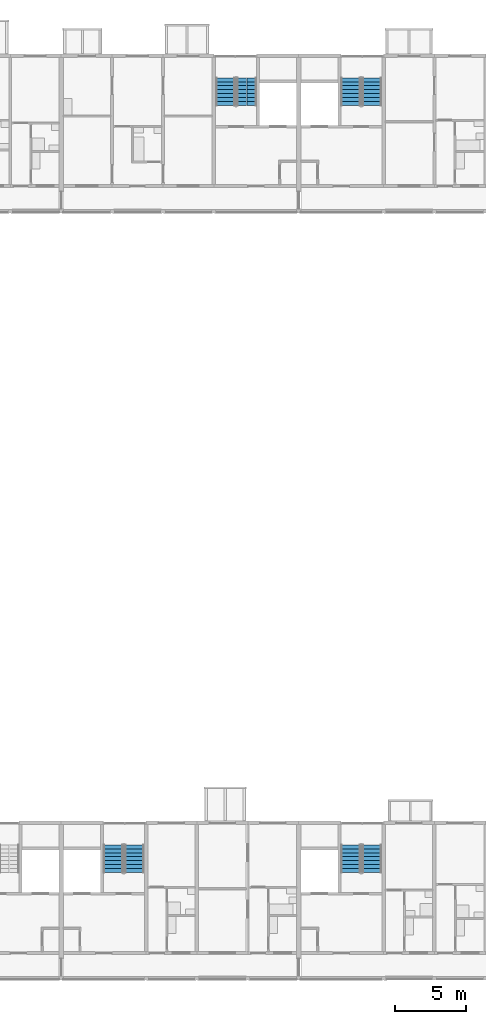
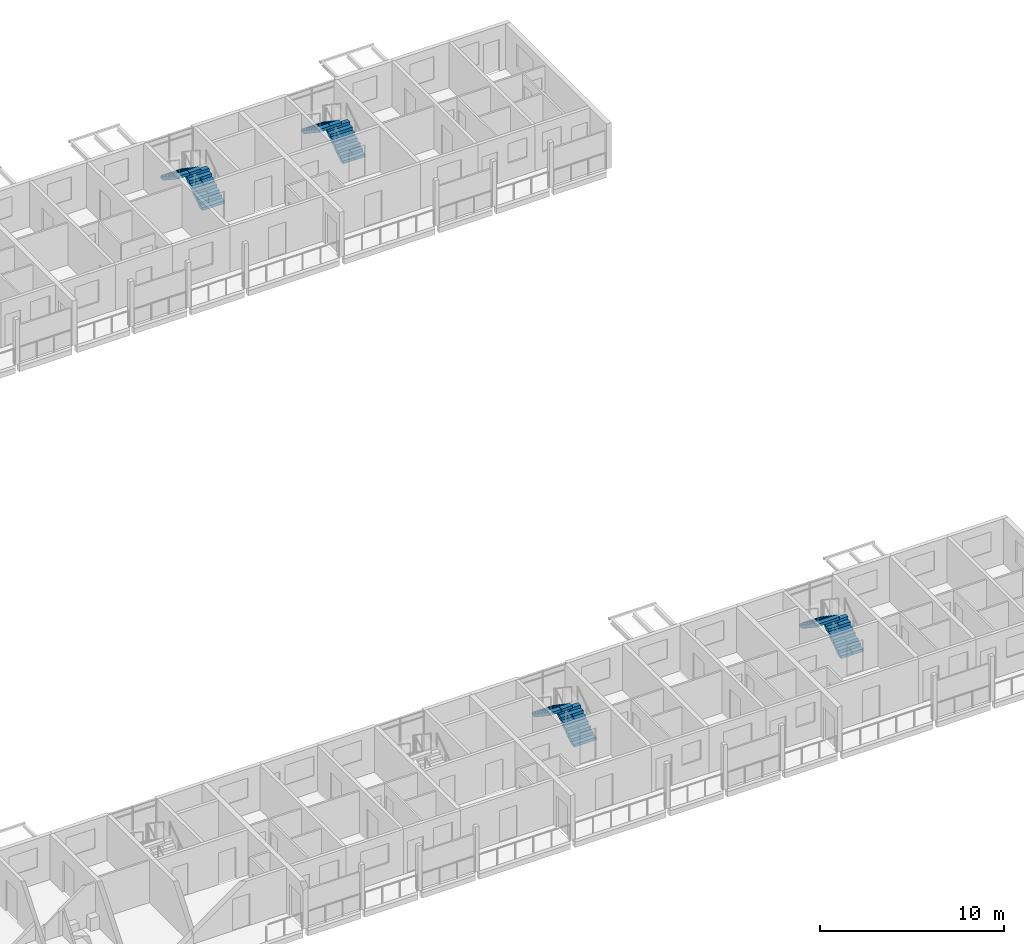
# One storey, part 62 of 99: 8 stair flights, 4 elements without a shape of their own.
"""IFC4 building model written with IfcOpenShell, lengths in metres."""

from ifc_helpers import new_model, si_unit, direction, frame, origin, place, context, subcontext, project, spatial, polyline, outline, extrude, material, type_object, element, aggregate, save


model = new_model("IFC4")

# Units and contexts
model_context = context("Model", 3, precision=1e-05, world=origin(), true_north=direction((0.0, 1.0)))
body_context = subcontext(model_context, "Body", "Model", "MODEL_VIEW")
ifc_project = project(units=[si_unit("LENGTHUNIT", "METRE"), si_unit("AREAUNIT", "SQUARE_METRE"), si_unit("VOLUMEUNIT", "CUBIC_METRE"), si_unit("PLANEANGLEUNIT", "RADIAN"), si_unit("MASSUNIT", "GRAM", prefix="KILO")], contexts=[model_context])

# Site, building, storey
site_placement = place(None, origin())
site = spatial("IfcSite", under=ifc_project, at=site_placement, CompositionType="ELEMENT")
building_placement = place(site_placement, origin())
building = spatial("IfcBuilding", under=site, at=building_placement, Name="Ridgestep Commons", CompositionType="ELEMENT")
storey_placement = place(building_placement, frame((0.0, 0.0, 15.0)))
storey = spatial("IfcBuildingStorey", under=building, at=storey_placement, Name="L05", CompositionType="ELEMENT", Elevation=15.0)

# Stair, stair flights
ifc_material_1 = material(Name="Precast concrete C40/50", Category="concrete")
stair_type = type_object("IfcStairType", Name="Escape stair 1400", PredefinedType="HALF_TURN_STAIR", material=ifc_material_1)
stair_1_placement = place(storey_placement, origin())
stair_1 = element("IfcStair", 1, at=stair_1_placement, inside=storey, type_object=stair_type, Name="L05 Escape stair C5C", PredefinedType="HALF_TURN_STAIR")
ifc_material_2 = material(Name="Precast concrete C40/50", Category="concrete")
stair_flight_type = type_object("IfcStairFlightType", Name="Stair flight 1400", PredefinedType="STRAIGHT", material=ifc_material_2)
stair_flight_1_placement = place(storey_placement, frame((227.125, 73.60009765625, 0.0), z_axis=(0.0, 0.0, 1.0), x_axis=(0.0, 1.0, 0.0)))
stair_flight_1 = element("IfcStairFlight", 2, at=stair_flight_1_placement, type_object=stair_flight_type, Name="C5C flight 1", NumberOfRisers=8, NumberOfTreads=7, PredefinedType="STRAIGHT", RiserHeight=0.1875, TreadLength=0.28, context=body_context, shape_type="SweptSolid", body=[
    extrude(outline(polyline([(0.0, 0.0), (0.0, 0.1875), (0.280029296875, 0.1875), (0.280029296875, 0.375), (0.56005859375, 0.375), (0.56005859375, 0.5625), (0.840087890625, 0.5625), (0.840087890625, 0.75), (1.1201171875, 0.75), (1.1201171875, 0.9375), (1.39990234375, 0.9375), (1.39990234375, 1.125), (1.679931640625, 1.125), (1.679931640625, 1.3125), (1.9599609375, 1.3125), (1.9599609375, 1.5), (1.9599609375, 1.132080078125), (0.26953125, 0.0), (0.0, 0.0)])), frame((0.0, 0.699951171875, 0.0), z_axis=(0.0, -1.0, 0.0), x_axis=(1.0, 0.0, 0.0)), (0.0, 0.0, 1.0), 0.695068359375),
    extrude(outline(polyline([(0.0, 0.0), (0.0, 0.1875), (0.280029296875, 0.1875), (0.280029296875, 0.375), (0.56005859375, 0.375), (0.56005859375, 0.5625), (0.840087890625, 0.5625), (0.840087890625, 0.75), (1.1201171875, 0.75), (1.1201171875, 0.9375), (1.39990234375, 0.9375), (1.39990234375, 1.125), (1.679931640625, 1.125), (1.679931640625, 1.3125), (1.9599609375, 1.3125), (1.9599609375, 1.5), (1.9599609375, 1.132080078125), (0.26953125, 0.0), (0.0, 0.0)])), frame((0.0, -0.0048828125, 0.0), z_axis=(0.0, -1.0, 0.0), x_axis=(1.0, 0.0, 0.0)), (0.0, 0.0, 1.0), 0.695068359375),
])
stair_flight_2_placement = place(storey_placement, frame((225.625, 75.56005859375, 1.5), z_axis=(0.0, 0.0, 1.0), x_axis=(0.0, -1.0, 0.0)))
stair_flight_2 = element("IfcStairFlight", 3, at=stair_flight_2_placement, type_object=stair_flight_type, Name="C5C flight 2", NumberOfRisers=8, NumberOfTreads=7, PredefinedType="STRAIGHT", RiserHeight=0.1875, TreadLength=0.28, context=body_context, shape_type="SweptSolid", body=[
    extrude(outline(polyline([(0.0, 0.0), (0.0, 0.1875), (0.280029296875, 0.1875), (0.280029296875, 0.375), (0.56005859375, 0.375), (0.56005859375, 0.5625), (0.840087890625, 0.5625), (0.840087890625, 0.75), (1.1201171875, 0.75), (1.1201171875, 0.9375), (1.39990234375, 0.9375), (1.39990234375, 1.125), (1.679931640625, 1.125), (1.679931640625, 1.3125), (1.9599609375, 1.3125), (1.9599609375, 1.5), (1.9599609375, 1.132080078125), (0.26953125, 0.0), (0.0, 0.0)])), frame((0.0, 0.699951171875, 0.0), z_axis=(0.0, -1.0, 0.0), x_axis=(1.0, 0.0, 0.0)), (0.0, 0.0, 1.0), 0.695068359375),
    extrude(outline(polyline([(0.0, 0.0), (0.0, 0.1875), (0.280029296875, 0.1875), (0.280029296875, 0.375), (0.56005859375, 0.375), (0.56005859375, 0.5625), (0.840087890625, 0.5625), (0.840087890625, 0.75), (1.1201171875, 0.75), (1.1201171875, 0.9375), (1.39990234375, 0.9375), (1.39990234375, 1.125), (1.679931640625, 1.125), (1.679931640625, 1.3125), (1.9599609375, 1.3125), (1.9599609375, 1.5), (1.9599609375, 1.132080078125), (0.26953125, 0.0), (0.0, 0.0)])), frame((0.0, -0.0048828125, 0.0), z_axis=(0.0, -1.0, 0.0), x_axis=(1.0, 0.0, 0.0)), (0.0, 0.0, 1.0), 0.695068359375),
])
aggregate(stair_1, [stair_flight_1, stair_flight_2])

stair_2_placement = place(storey_placement, origin())
stair_2 = element("IfcStair", 4, at=stair_2_placement, inside=storey, type_object=stair_type, Name="L05 Escape stair C6C", PredefinedType="HALF_TURN_STAIR")
stair_flight_3_placement = place(storey_placement, frame((235.97509765625, 73.60009765625, 0.0), z_axis=(0.0, 0.0, 1.0), x_axis=(0.0, 1.0, 0.0)))
stair_flight_3 = element("IfcStairFlight", 5, at=stair_flight_3_placement, type_object=stair_flight_type, Name="C6C flight 1", NumberOfRisers=8, NumberOfTreads=7, PredefinedType="STRAIGHT", RiserHeight=0.1875, TreadLength=0.28, context=body_context, shape_type="SweptSolid", body=[
    extrude(outline(polyline([(0.0, 0.0), (0.0, 0.1875), (0.280029296875, 0.1875), (0.280029296875, 0.375), (0.56005859375, 0.375), (0.56005859375, 0.5625), (0.840087890625, 0.5625), (0.840087890625, 0.75), (1.1201171875, 0.75), (1.1201171875, 0.9375), (1.39990234375, 0.9375), (1.39990234375, 1.125), (1.679931640625, 1.125), (1.679931640625, 1.3125), (1.9599609375, 1.3125), (1.9599609375, 1.5), (1.9599609375, 1.132080078125), (0.26953125, 0.0), (0.0, 0.0)])), frame((0.0, 0.699951171875, 0.0), z_axis=(0.0, -1.0, 0.0), x_axis=(1.0, 0.0, 0.0)), (0.0, 0.0, 1.0), 0.695068359375),
    extrude(outline(polyline([(0.0, 0.0), (0.0, 0.1875), (0.280029296875, 0.1875), (0.280029296875, 0.375), (0.56005859375, 0.375), (0.56005859375, 0.5625), (0.840087890625, 0.5625), (0.840087890625, 0.75), (1.1201171875, 0.75), (1.1201171875, 0.9375), (1.39990234375, 0.9375), (1.39990234375, 1.125), (1.679931640625, 1.125), (1.679931640625, 1.3125), (1.9599609375, 1.3125), (1.9599609375, 1.5), (1.9599609375, 1.132080078125), (0.26953125, 0.0), (0.0, 0.0)])), frame((0.0, -0.0048828125, 0.0), z_axis=(0.0, -1.0, 0.0), x_axis=(1.0, 0.0, 0.0)), (0.0, 0.0, 1.0), 0.695068359375),
])
stair_flight_4_placement = place(storey_placement, frame((234.47509765625, 75.56005859375, 1.5), z_axis=(0.0, 0.0, 1.0), x_axis=(0.0, -1.0, 0.0)))
stair_flight_4 = element("IfcStairFlight", 6, at=stair_flight_4_placement, type_object=stair_flight_type, Name="C6C flight 2", NumberOfRisers=8, NumberOfTreads=7, PredefinedType="STRAIGHT", RiserHeight=0.1875, TreadLength=0.28, context=body_context, shape_type="SweptSolid", body=[
    extrude(outline(polyline([(0.0, 0.0), (0.0, 0.1875), (0.280029296875, 0.1875), (0.280029296875, 0.375), (0.56005859375, 0.375), (0.56005859375, 0.5625), (0.840087890625, 0.5625), (0.840087890625, 0.75), (1.1201171875, 0.75), (1.1201171875, 0.9375), (1.39990234375, 0.9375), (1.39990234375, 1.125), (1.679931640625, 1.125), (1.679931640625, 1.3125), (1.9599609375, 1.3125), (1.9599609375, 1.5), (1.9599609375, 1.132080078125), (0.26953125, 0.0), (0.0, 0.0)])), frame((0.0, 0.699951171875, 0.0), z_axis=(0.0, -1.0, 0.0), x_axis=(1.0, 0.0, 0.0)), (0.0, 0.0, 1.0), 0.695068359375),
    extrude(outline(polyline([(0.0, 0.0), (0.0, 0.1875), (0.280029296875, 0.1875), (0.280029296875, 0.375), (0.56005859375, 0.375), (0.56005859375, 0.5625), (0.840087890625, 0.5625), (0.840087890625, 0.75), (1.1201171875, 0.75), (1.1201171875, 0.9375), (1.39990234375, 0.9375), (1.39990234375, 1.125), (1.679931640625, 1.125), (1.679931640625, 1.3125), (1.9599609375, 1.3125), (1.9599609375, 1.5), (1.9599609375, 1.132080078125), (0.26953125, 0.0), (0.0, 0.0)])), frame((0.0, -0.0048828125, 0.0), z_axis=(0.0, -1.0, 0.0), x_axis=(1.0, 0.0, 0.0)), (0.0, 0.0, 1.0), 0.695068359375),
])
aggregate(stair_2, [stair_flight_3, stair_flight_4])

stair_3_placement = place(storey_placement, origin())
stair_3 = element("IfcStair", 7, at=stair_3_placement, inside=storey, type_object=stair_type, Name="L05 Escape stair D5C", PredefinedType="HALF_TURN_STAIR")
stair_flight_5_placement = place(storey_placement, frame((219.175048828125, 19.35009765625, 0.0), z_axis=(0.0, 0.0, 1.0), x_axis=(0.0, 1.0, 0.0)))
stair_flight_5 = element("IfcStairFlight", 8, at=stair_flight_5_placement, type_object=stair_flight_type, Name="D5C flight 1", NumberOfRisers=8, NumberOfTreads=7, PredefinedType="STRAIGHT", RiserHeight=0.1875, TreadLength=0.28, context=body_context, shape_type="SweptSolid", body=[
    extrude(outline(polyline([(0.0, 0.0), (0.0, 0.1875), (0.280029296875, 0.1875), (0.280029296875, 0.375), (0.56005859375, 0.375), (0.56005859375, 0.5625), (0.840087890625, 0.5625), (0.840087890625, 0.75), (1.1201171875, 0.75), (1.1201171875, 0.9375), (1.39990234375, 0.9375), (1.39990234375, 1.125), (1.679931640625, 1.125), (1.679931640625, 1.3125), (1.9599609375, 1.3125), (1.9599609375, 1.5), (1.9599609375, 1.132080078125), (0.26953125, 0.0), (0.0, 0.0)])), frame((0.0, 0.699951171875, 0.0), z_axis=(0.0, -1.0, 0.0), x_axis=(1.0, 0.0, 0.0)), (0.0, 0.0, 1.0), 0.695068359375),
    extrude(outline(polyline([(0.0, 0.0), (0.0, 0.1875), (0.280029296875, 0.1875), (0.280029296875, 0.375), (0.56005859375, 0.375), (0.56005859375, 0.5625), (0.840087890625, 0.5625), (0.840087890625, 0.75), (1.1201171875, 0.75), (1.1201171875, 0.9375), (1.39990234375, 0.9375), (1.39990234375, 1.125), (1.679931640625, 1.125), (1.679931640625, 1.3125), (1.9599609375, 1.3125), (1.9599609375, 1.5), (1.9599609375, 1.132080078125), (0.26953125, 0.0), (0.0, 0.0)])), frame((0.0, -0.0048828125, 0.0), z_axis=(0.0, -1.0, 0.0), x_axis=(1.0, 0.0, 0.0)), (0.0, 0.0, 1.0), 0.695068359375),
])
stair_flight_6_placement = place(storey_placement, frame((217.675048828125, 21.31005859375, 1.5), z_axis=(0.0, 0.0, 1.0), x_axis=(0.0, -1.0, 0.0)))
stair_flight_6 = element("IfcStairFlight", 9, at=stair_flight_6_placement, type_object=stair_flight_type, Name="D5C flight 2", NumberOfRisers=8, NumberOfTreads=7, PredefinedType="STRAIGHT", RiserHeight=0.1875, TreadLength=0.28, context=body_context, shape_type="SweptSolid", body=[
    extrude(outline(polyline([(0.0, 0.0), (0.0, 0.1875), (0.280029296875, 0.1875), (0.280029296875, 0.375), (0.56005859375, 0.375), (0.56005859375, 0.5625), (0.840087890625, 0.5625), (0.840087890625, 0.75), (1.1201171875, 0.75), (1.1201171875, 0.9375), (1.39990234375, 0.9375), (1.39990234375, 1.125), (1.679931640625, 1.125), (1.679931640625, 1.3125), (1.9599609375, 1.3125), (1.9599609375, 1.5), (1.9599609375, 1.132080078125), (0.26953125, 0.0), (0.0, 0.0)])), frame((0.0, 0.699951171875, 0.0), z_axis=(0.0, -1.0, 0.0), x_axis=(1.0, 0.0, 0.0)), (0.0, 0.0, 1.0), 0.695068359375),
    extrude(outline(polyline([(0.0, 0.0), (0.0, 0.1875), (0.280029296875, 0.1875), (0.280029296875, 0.375), (0.56005859375, 0.375), (0.56005859375, 0.5625), (0.840087890625, 0.5625), (0.840087890625, 0.75), (1.1201171875, 0.75), (1.1201171875, 0.9375), (1.39990234375, 0.9375), (1.39990234375, 1.125), (1.679931640625, 1.125), (1.679931640625, 1.3125), (1.9599609375, 1.3125), (1.9599609375, 1.5), (1.9599609375, 1.132080078125), (0.26953125, 0.0), (0.0, 0.0)])), frame((0.0, -0.0048828125, 0.0), z_axis=(0.0, -1.0, 0.0), x_axis=(1.0, 0.0, 0.0)), (0.0, 0.0, 1.0), 0.695068359375),
])
aggregate(stair_3, [stair_flight_5, stair_flight_6])

stair_4_placement = place(storey_placement, origin())
stair_4 = element("IfcStair", 10, at=stair_4_placement, inside=storey, type_object=stair_type, Name="L05 Escape stair D6C", PredefinedType="HALF_TURN_STAIR")
stair_flight_7_placement = place(storey_placement, frame((235.97509765625, 19.35009765625, 0.0), z_axis=(0.0, 0.0, 1.0), x_axis=(0.0, 1.0, 0.0)))
stair_flight_7 = element("IfcStairFlight", 11, at=stair_flight_7_placement, type_object=stair_flight_type, Name="D6C flight 1", NumberOfRisers=8, NumberOfTreads=7, PredefinedType="STRAIGHT", RiserHeight=0.1875, TreadLength=0.28, context=body_context, shape_type="SweptSolid", body=[
    extrude(outline(polyline([(0.0, 0.0), (0.0, 0.1875), (0.280029296875, 0.1875), (0.280029296875, 0.375), (0.56005859375, 0.375), (0.56005859375, 0.5625), (0.840087890625, 0.5625), (0.840087890625, 0.75), (1.1201171875, 0.75), (1.1201171875, 0.9375), (1.39990234375, 0.9375), (1.39990234375, 1.125), (1.679931640625, 1.125), (1.679931640625, 1.3125), (1.9599609375, 1.3125), (1.9599609375, 1.5), (1.9599609375, 1.132080078125), (0.26953125, 0.0), (0.0, 0.0)])), frame((0.0, 0.699951171875, 0.0), z_axis=(0.0, -1.0, 0.0), x_axis=(1.0, 0.0, 0.0)), (0.0, 0.0, 1.0), 0.695068359375),
    extrude(outline(polyline([(0.0, 0.0), (0.0, 0.1875), (0.280029296875, 0.1875), (0.280029296875, 0.375), (0.56005859375, 0.375), (0.56005859375, 0.5625), (0.840087890625, 0.5625), (0.840087890625, 0.75), (1.1201171875, 0.75), (1.1201171875, 0.9375), (1.39990234375, 0.9375), (1.39990234375, 1.125), (1.679931640625, 1.125), (1.679931640625, 1.3125), (1.9599609375, 1.3125), (1.9599609375, 1.5), (1.9599609375, 1.132080078125), (0.26953125, 0.0), (0.0, 0.0)])), frame((0.0, -0.0048828125, 0.0), z_axis=(0.0, -1.0, 0.0), x_axis=(1.0, 0.0, 0.0)), (0.0, 0.0, 1.0), 0.695068359375),
])
stair_flight_8_placement = place(storey_placement, frame((234.47509765625, 21.31005859375, 1.5), z_axis=(0.0, 0.0, 1.0), x_axis=(0.0, -1.0, 0.0)))
stair_flight_8 = element("IfcStairFlight", 12, at=stair_flight_8_placement, type_object=stair_flight_type, Name="D6C flight 2", NumberOfRisers=8, NumberOfTreads=7, PredefinedType="STRAIGHT", RiserHeight=0.1875, TreadLength=0.28, context=body_context, shape_type="SweptSolid", body=[
    extrude(outline(polyline([(0.0, 0.0), (0.0, 0.1875), (0.280029296875, 0.1875), (0.280029296875, 0.375), (0.56005859375, 0.375), (0.56005859375, 0.5625), (0.840087890625, 0.5625), (0.840087890625, 0.75), (1.1201171875, 0.75), (1.1201171875, 0.9375), (1.39990234375, 0.9375), (1.39990234375, 1.125), (1.679931640625, 1.125), (1.679931640625, 1.3125), (1.9599609375, 1.3125), (1.9599609375, 1.5), (1.9599609375, 1.132080078125), (0.26953125, 0.0), (0.0, 0.0)])), frame((0.0, 0.699951171875, 0.0), z_axis=(0.0, -1.0, 0.0), x_axis=(1.0, 0.0, 0.0)), (0.0, 0.0, 1.0), 0.695068359375),
    extrude(outline(polyline([(0.0, 0.0), (0.0, 0.1875), (0.280029296875, 0.1875), (0.280029296875, 0.375), (0.56005859375, 0.375), (0.56005859375, 0.5625), (0.840087890625, 0.5625), (0.840087890625, 0.75), (1.1201171875, 0.75), (1.1201171875, 0.9375), (1.39990234375, 0.9375), (1.39990234375, 1.125), (1.679931640625, 1.125), (1.679931640625, 1.3125), (1.9599609375, 1.3125), (1.9599609375, 1.5), (1.9599609375, 1.132080078125), (0.26953125, 0.0), (0.0, 0.0)])), frame((0.0, -0.0048828125, 0.0), z_axis=(0.0, -1.0, 0.0), x_axis=(1.0, 0.0, 0.0)), (0.0, 0.0, 1.0), 0.695068359375),
])
aggregate(stair_4, [stair_flight_7, stair_flight_8])

save(model, "model.ifc")
